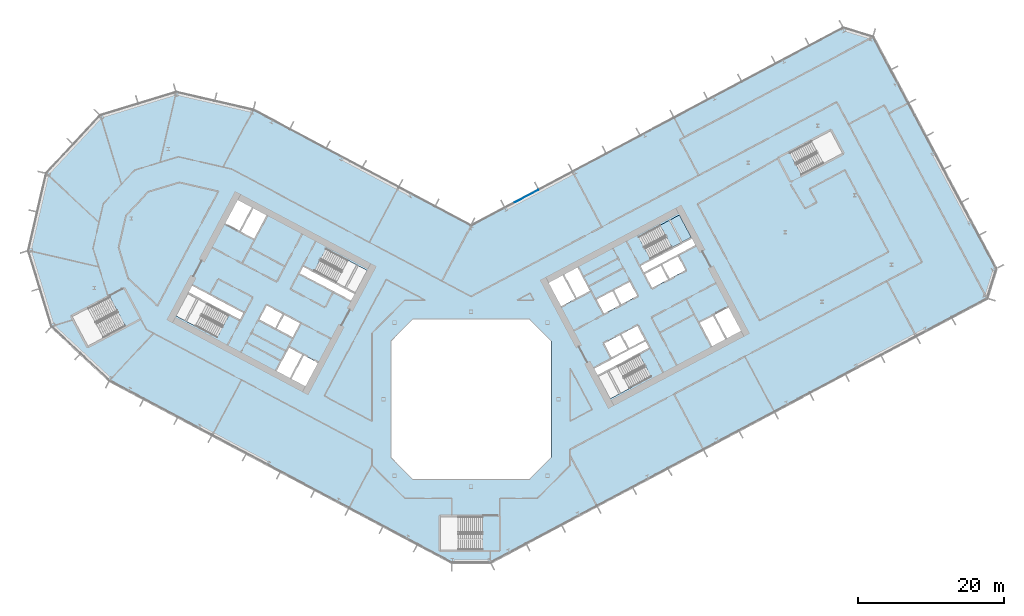
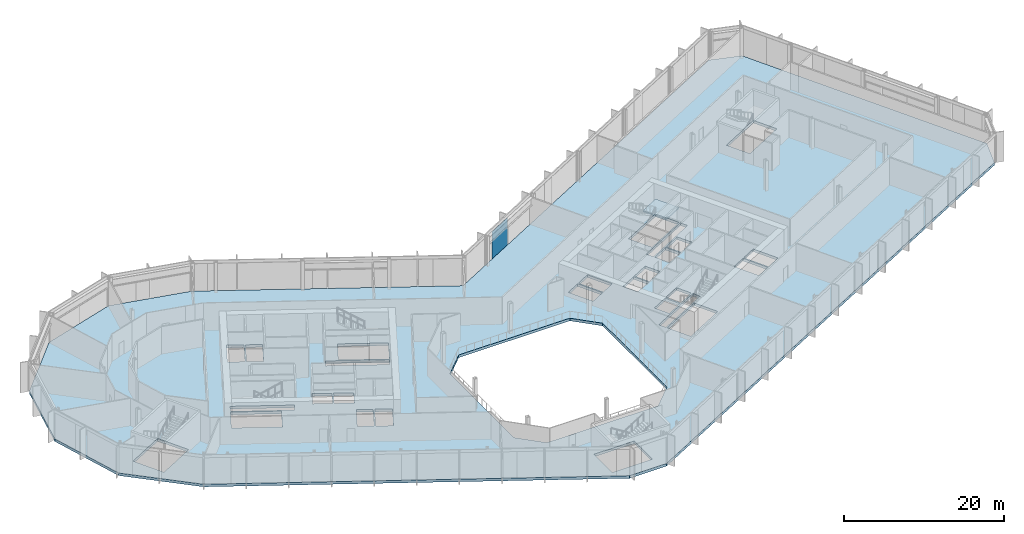
# One storey, part 12 of 30: 2 slabs, 1 plate, 2 elements without a shape of their own.
"""IFC4 building model written with IfcOpenShell, lengths in metres."""

from ifc_helpers import new_model, si_unit, direction, frame, origin, origin_2d, place, context, subcontext, project, spatial, polyline, rectangle, outline, extrude, material, layer, layer_set, type_object, element, aggregate, save


model = new_model("IFC4")

# Units and contexts
model_context = context("Model", 3, precision=1e-05, world=origin(), true_north=direction((0.0, 1.0)))
body_context = subcontext(model_context, "Body", "Model", "MODEL_VIEW")
ifc_project = project(units=[si_unit("LENGTHUNIT", "METRE"), si_unit("AREAUNIT", "SQUARE_METRE"), si_unit("VOLUMEUNIT", "CUBIC_METRE"), si_unit("PLANEANGLEUNIT", "RADIAN"), si_unit("MASSUNIT", "GRAM", prefix="KILO")], contexts=[model_context])

# Site, building, storey
site_placement = place(None, origin())
site = spatial("IfcSite", under=ifc_project, at=site_placement, CompositionType="ELEMENT")
building_placement = place(site_placement, origin())
building = spatial("IfcBuilding", under=site, at=building_placement, Name="Cormorant Relay Tower", CompositionType="ELEMENT")
storey_placement = place(building_placement, frame((0.0, 0.0, 89.199951171875)))
storey = spatial("IfcBuildingStorey", under=building, at=storey_placement, Name="L17", CompositionType="ELEMENT", Elevation=89.199951171875)

# Curtain wall, plate
ifc_material_1 = material(Name="Aluminium 6063-T6 anodised bronze", Category="aluminium")
ifc_layer_1 = layer(ifc_material_1, 0.199951171875)
ifc_layer_set_1 = layer_set([ifc_layer_1], Name="CW1 unitised bronze curtain wall with vertical fins")
curtain_wall_type = type_object("IfcCurtainWallType", Name="CW1 unitised bronze curtain wall with vertical fins", PredefinedType="NOTDEFINED", material=ifc_layer_set_1)
curtain_wall_placement = place(storey_placement, origin())
curtain_wall = element("IfcCurtainWall", 1, at=curtain_wall_placement, inside=storey, type_object=curtain_wall_type, Name="CW1 curtain wall 6", PredefinedType="NOTDEFINED")
ifc_material_2 = material(Name="Tinted laminated glass", Category="glass")
ifc_layer_2 = layer(ifc_material_2, 0.0400390625)
ifc_layer_set_2 = layer_set([ifc_layer_2], Name="CW1 tinted vision panel 3600 module")
plate_type = type_object("IfcPlateType", Name="CW1 tinted vision panel 3600 module", PredefinedType="CURTAIN_PANEL", material=ifc_layer_set_2)
plate_placement = place(storey_placement, frame((7.619384765625, 27.85791015625, 0.0), z_axis=(0.0, 0.0, 1.0), x_axis=(-0.882947592859, -0.469471562786, 0.0)))
plate = element("IfcPlate", 2, at=plate_placement, type_object=plate_type, Name="CW1 panel V09", PredefinedType="CURTAIN_PANEL", context=body_context, shape_type="SweptSolid", body=[
    extrude(rectangle(XDim=3.60009765625, YDim=0.0400390625, at=origin_2d()), origin(), (0.0, 0.0, 1.0), 4.14990234375),
])
aggregate(curtain_wall, [plate])

# Stair, slab
ifc_material_3 = material(Name="Concrete 40 MPa", Category="concrete")
stair_type = type_object("IfcStairType", Name="Exit stair 1500", PredefinedType="HALF_TURN_STAIR", material=ifc_material_3)
stair_placement = place(storey_placement, origin())
stair = element("IfcStair", 3, at=stair_placement, inside=storey, type_object=stair_type, Name="L17 Stair", PredefinedType="HALF_TURN_STAIR")
ifc_material_4 = material(Name="Concrete 40 MPa", Category="concrete")
ifc_layer_3 = layer(ifc_material_4, 0.199951171875)
ifc_layer_set_3 = layer_set([ifc_layer_3], Name="Exit stair landing 200")
slab_type_1 = type_object("IfcSlabType", Name="Exit stair landing 200", PredefinedType="LANDING", material=ifc_layer_set_3)
slab_1_placement = place(storey_placement, frame((0.0, 0.0, 2.10009765625)))
slab_1 = element("IfcSlab", 4, at=slab_1_placement, type_object=slab_type_1, Name="B2 landing 1", PredefinedType="LANDING", context=body_context, shape_type="SweptSolid", body=[
    extrude(outline(polyline([(27.558837890625, 20.82568359375), (30.19873046875, 22.2294921875), (28.5791015625, 25.275634765625), (25.93896484375, 23.871826171875), (27.558837890625, 20.82568359375)])), origin(), (0.0, 0.0, 1.0), 0.199951171875),
])
aggregate(stair, [slab_1])

# Slab
ifc_material_5 = material(Name="Concrete 40 MPa", Category="concrete")
ifc_layer_4 = layer(ifc_material_5, 0.39990234375)
ifc_layer_set_4 = layer_set([ifc_layer_4], Name="Flat plate 400")
slab_type_2 = type_object("IfcSlabType", Name="Flat plate 400", PredefinedType="FLOOR", material=ifc_layer_set_4)
slab_2_placement = place(storey_placement, frame((0.0, 0.0, -0.39990234375)))
element("IfcSlab", 5, at=slab_2_placement, inside=storey, type_object=slab_type_2, Name="Floor slab L17", PredefinedType="FLOOR", context=body_context, shape_type="SweptSolid", body=[
    extrude(outline(polyline([(-60.7197265625, 20.393310546875), (-58.2744140625, 30.985107421875), (-50.86083984375, 38.935302734375), (-40.465576171875, 42.11328125), (-29.873779296875, 39.668212890625), (0.0, 23.783935546875), (51.064453125, 50.935302734375), (55.12158203125, 49.695068359375), (72.022705078125, 17.908935546875), (70.7822265625, 13.8515625), (2.648681640625, -22.37548828125), (-2.648681640625, -22.37548828125), (-49.591552734375, 2.584228515625), (-57.541748046875, 9.997802734375), (-60.7197265625, 20.393310546875)]), holes=[polyline([(11.0, -8.0), (11.0, 8.0), (8.0, 11.0), (-8.0, 11.0), (-11.0, 8.0), (-11.0, -8.0), (-8.0, -11.0), (8.0, -11.0), (11.0, -8.0)]), polyline([(-4.199951171875, -16.125), (-4.199951171875, -20.675048828125), (1.60009765625, -20.675048828125), (1.60009765625, -16.125), (-4.199951171875, -16.125)]), polyline([(-22.95458984375, 6.03271484375), (-24.668212890625, 2.81005859375), (-22.725830078125, 1.777099609375), (-21.01220703125, 5.0), (-23.04296875, 6.07958984375), (-22.95458984375, 6.03271484375)]), polyline([(-24.985595703125, 7.112548828125), (-26.69921875, 3.889892578125), (-24.844970703125, 2.90380859375), (-23.13134765625, 6.126708984375), (-23.04296875, 6.07958984375), (-24.985595703125, 7.112548828125)]), polyline([(-26.688720703125, 9.660400390625), (-24.481201171875, 8.48681640625), (-23.448486328125, 10.42919921875), (-25.656005859375, 11.602783203125), (-26.688720703125, 9.660400390625)]), polyline([(-49.57861328125, 14.0537109375), (-54.69970703125, 11.330810546875), (-52.563720703125, 7.3134765625), (-47.442626953125, 10.036376953125), (-49.57861328125, 14.0537109375)]), polyline([(-29.07275390625, 10.927978515625), (-26.865234375, 9.75439453125), (-25.83251953125, 11.69677734375), (-28.039794921875, 12.870361328125), (-29.07275390625, 10.927978515625)]), polyline([(-38.847900390625, 14.483154296875), (-40.46728515625, 11.43701171875), (-34.860595703125, 8.455810546875), (-33.240966796875, 11.502197265625), (-38.847900390625, 14.483154296875)]), polyline([(-38.260986328125, 15.5869140625), (-38.75390625, 14.659912109375), (-31.690185546875, 10.904052734375), (-31.197265625, 11.8310546875), (-38.260986328125, 15.5869140625)]), polyline([(14.3056640625, 13.779052734375), (12.592041015625, 17.001708984375), (10.649658203125, 15.968994140625), (12.36328125, 12.74609375), (14.39404296875, 13.825927734375), (14.3056640625, 13.779052734375)]), polyline([(16.33642578125, 14.85888671875), (14.622802734375, 18.08154296875), (12.768798828125, 17.095703125), (14.482421875, 13.872802734375), (14.39404296875, 13.825927734375), (16.33642578125, 14.85888671875)]), polyline([(-16.481689453125, 13.520263671875), (-15.989013671875, 14.447509765625), (-23.052490234375, 18.203125), (-23.54541015625, 17.276123046875), (-16.481689453125, 13.520263671875)]), polyline([(-21.501708984375, 17.605224609375), (-15.89501953125, 14.6240234375), (-14.275390625, 17.670166015625), (-19.882080078125, 20.6513671875), (-21.501708984375, 17.605224609375)]), polyline([(-31.611572265625, 22.980712890625), (-29.75732421875, 21.99462890625), (-28.043701171875, 25.217529296875), (-29.89794921875, 26.203369140625), (-31.611572265625, 22.980712890625)]), polyline([(-33.73046875, 24.107421875), (-31.7880859375, 23.074462890625), (-30.074462890625, 26.29736328125), (-32.01708984375, 27.330078125), (-33.73046875, 24.107421875)]), polyline([(23.087158203125, 6.10302734375), (17.48046875, 3.1220703125), (19.10009765625, 0.07568359375), (24.706787109375, 3.056884765625), (23.087158203125, 6.10302734375)]), polyline([(16.8935546875, 4.2255859375), (17.386474609375, 3.298583984375), (24.4501953125, 7.054443359375), (23.957275390625, 7.9814453125), (16.8935546875, 4.2255859375)]), polyline([(20.446533203125, 8.8330078125), (18.239013671875, 7.6591796875), (19.27197265625, 5.716796875), (21.479248046875, 6.890380859375), (20.446533203125, 8.8330078125)]), polyline([(22.830322265625, 10.1005859375), (20.623046875, 8.927001953125), (21.656005859375, 6.984375), (23.86328125, 8.158203125), (22.830322265625, 10.1005859375)]), polyline([(33.197021484375, 11.478515625), (31.3427734375, 10.49267578125), (33.056396484375, 7.27001953125), (34.910400390625, 8.255859375), (33.197021484375, 11.478515625)]), polyline([(33.37353515625, 11.572509765625), (35.087158203125, 8.349609375), (37.029541015625, 9.382568359375), (35.31591796875, 12.605224609375), (33.37353515625, 11.572509765625)]), polyline([(17.19384765625, 13.67236328125), (18.2265625, 11.72998046875), (20.43408203125, 12.903564453125), (19.401123046875, 14.84619140625), (17.19384765625, 13.67236328125)]), polyline([(21.78515625, 16.113525390625), (19.57763671875, 14.93994140625), (20.610595703125, 12.99755859375), (22.81787109375, 14.171142578125), (21.78515625, 16.113525390625)]), polyline([(26.023193359375, 18.3671875), (23.81591796875, 17.193359375), (24.8486328125, 15.2509765625), (27.05615234375, 16.424560546875), (26.023193359375, 18.3671875)]), polyline([(29.440185546875, 17.692138671875), (28.4072265625, 19.634765625), (26.19970703125, 18.4609375), (27.232666015625, 16.5185546875), (29.440185546875, 17.692138671875)]), polyline([(30.78564453125, 21.125732421875), (30.29248046875, 22.052978515625), (23.22900390625, 18.297119140625), (23.721923828125, 17.3701171875), (30.78564453125, 21.125732421875)]), polyline([(24.592041015625, 19.248291015625), (30.19873046875, 22.2294921875), (28.5791015625, 25.275634765625), (22.972412109375, 22.29443359375), (24.592041015625, 19.248291015625)]), polyline([(45.3349609375, 30.773681640625), (50.941650390625, 33.7548828125), (49.322021484375, 36.801025390625), (43.715087890625, 33.81982421875), (45.3349609375, 30.773681640625)])]), origin(), (0.0, 0.0, 1.0), 0.39990234375),
])

save(model, "model.ifc")
